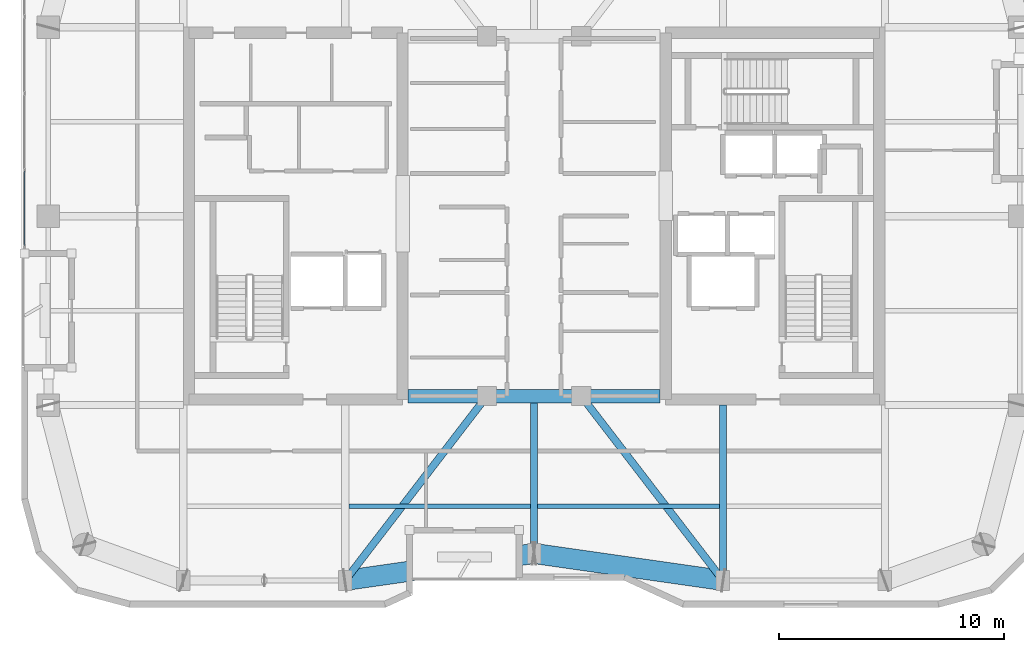
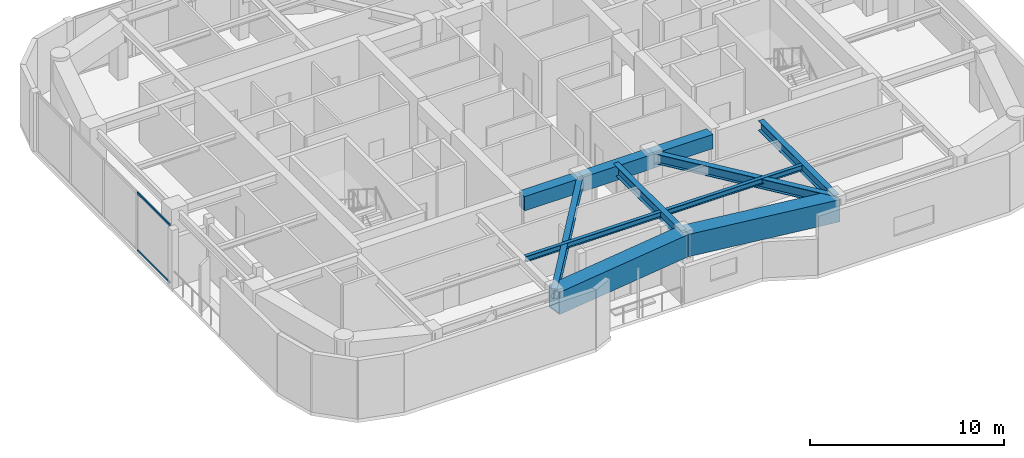
# One storey, part 3 of 15: 11 beams, 2 members, 1 element without a shape of its own.
"""IFC4 building model written with IfcOpenShell, lengths in metres."""

from ifc_helpers import new_model, si_unit, direction, frame, origin, origin_2d, place, context, subcontext, project, spatial, rectangle, hollow_rectangle, i_section, extrude, material, layer, layer_set, material_profile, profile_set, type_object, element, aggregate, save


model = new_model("IFC4")

# Units and contexts
model_context = context("Model", 3, precision=1e-05, world=origin(), true_north=direction((0.0, 1.0)))
body_context = subcontext(model_context, "Body", "Model", "MODEL_VIEW")
ifc_project = project(units=[si_unit("LENGTHUNIT", "METRE"), si_unit("AREAUNIT", "SQUARE_METRE"), si_unit("VOLUMEUNIT", "CUBIC_METRE"), si_unit("PLANEANGLEUNIT", "RADIAN"), si_unit("MASSUNIT", "GRAM", prefix="KILO")], contexts=[model_context])

# Site, building, storey
site_placement = place(None, origin())
site = spatial("IfcSite", under=ifc_project, at=site_placement, CompositionType="ELEMENT")
building_placement = place(site_placement, origin())
building = spatial("IfcBuilding", under=site, at=building_placement, Name="Kiyonajd Concourse Tower", CompositionType="ELEMENT")
storey_placement = place(building_placement, frame((0.0, 0.0, 274.5)))
storey = spatial("IfcBuildingStorey", under=building, at=storey_placement, Name="L69", CompositionType="ELEMENT", Elevation=274.5)

# Beams
ifc_material_1 = material(Name="Concrete C60/75", Category="concrete")
ifc_material_profile_1 = material_profile(ifc_material_1, rectangle(XDim=0.60009765625, YDim=0.89990234375, at=origin_2d()), Name="RCBM-600x900")
ifc_profile_set_1 = profile_set([ifc_material_profile_1], Name="Concrete C60/75")
beam_type_1 = type_object("IfcBeamType", Name="BM-COUP-900", PredefinedType="LINTEL", material=ifc_profile_set_1)
beam_1_placement = place(storey_placement, frame((42.39990234375, 28.0, 3.22998046875), z_axis=(1.0, 0.0, 0.0), x_axis=(0.0, 1.0, 0.0)))
element("IfcBeam", 1, at=beam_1_placement, inside=storey, type_object=beam_type_1, Name="L69 Core Coupling Beam S1", PredefinedType="LINTEL", context=body_context, shape_type="SweptSolid", body=[
    extrude(rectangle(XDim=0.60009765625, YDim=0.89990234375, at=origin_2d()), origin(), (0.0, 0.0, 1.0), 3.5),
])
beam_2_placement = place(storey_placement, frame((45.89990234375, 28.0, 3.22998046875), z_axis=(1.0, 0.0, 0.0), x_axis=(0.0, 1.0, 0.0)))
element("IfcBeam", 2, at=beam_2_placement, inside=storey, type_object=beam_type_1, Name="L69 Core Coupling Beam S2", PredefinedType="LINTEL", context=body_context, shape_type="SweptSolid", body=[
    extrude(rectangle(XDim=0.60009765625, YDim=0.89990234375, at=origin_2d()), origin(), (0.0, 0.0, 1.0), 4.2001953125),
])
beam_3_placement = place(storey_placement, frame((50.10009765625, 28.0, 3.22998046875), z_axis=(1.0, 0.0, 0.0), x_axis=(0.0, 1.0, 0.0)))
element("IfcBeam", 3, at=beam_3_placement, inside=storey, type_object=beam_type_1, Name="L69 Core Coupling Beam S3", PredefinedType="LINTEL", context=body_context, shape_type="SweptSolid", body=[
    extrude(rectangle(XDim=0.60009765625, YDim=0.89990234375, at=origin_2d()), origin(), (0.0, 0.0, 1.0), 3.5),
])
ifc_material_2 = material(Name="Steel ASTM A992 Grade 50", Category="steel")
ifc_material_profile_2 = material_profile(ifc_material_2, i_section(OverallWidth=0.205078125, OverallDepth=0.35400390625, WebThickness=0.009521484375, FlangeThickness=0.016845703125, at=origin_2d()), Name="W360X79")
ifc_profile_set_2 = profile_set([ifc_material_profile_2], Name="Steel ASTM A992 Grade 50")
beam_type_2 = type_object("IfcBeamType", Name="BM-JST-360", PredefinedType="JOIST", material=ifc_profile_set_2)
for number, where, z_axis, x_axis, name in (
    (4, (39.761962890625, 23.10009765625, 3.5029296875), (1.0, 0.0, 0.0), (0.0, 1.0, 0.0), "L69 Secondary Floor Joist"),
    (5, (48.162109375, 23.10009765625, 3.5029296875), (1.0, 0.0, 0.0), (0.0, 1.0, 0.0), "L69 Secondary Floor Joist"),
):
    element("IfcBeam", number, at=place(storey_placement, frame(where, z_axis=z_axis, x_axis=x_axis)), inside=storey, type_object=beam_type_2, Name=name, PredefinedType="JOIST", context=body_context, shape_type="SweptSolid", body=[
        extrude(i_section(OverallWidth=0.205078125, OverallDepth=0.35400390625, WebThickness=0.009521484375, FlangeThickness=0.016845703125, at=origin_2d()), origin(), (0.0, 0.0, 1.0), 8.075927734375),
    ])
ifc_material_profile_3 = material_profile(ifc_material_2, i_section(OverallWidth=0.326904296875, OverallDepth=0.6220703125, WebThickness=0.015380859375, FlangeThickness=0.0244140625, at=origin_2d()), Name="W610X195")
ifc_profile_set_3 = profile_set([ifc_material_profile_3], Name="Steel ASTM A992 Grade 50")
beam_type_3 = type_object("IfcBeamType", Name="BM-TWR-610A", PredefinedType="BEAM", material=ifc_profile_set_3)
for number, where, z_axis, x_axis, name in (
    (6, (39.60009765625, 19.800048828125, 3.368896484375), (0.609233709922, 0.792990722956, 0.0), (-0.792990722956, 0.609233709922, 0.0), "L69 Core Tie Girder"),
    (7, (50.10009765625, 28.0, 3.368896484375), (0.609233709922, -0.792990722956, 0.0), (0.792990722956, 0.609233709922, 0.0), "L69 Core Tie Girder"),
):
    element("IfcBeam", number, at=place(storey_placement, frame(where, z_axis=z_axis, x_axis=x_axis)), inside=storey, type_object=beam_type_3, Name=name, PredefinedType="BEAM", context=body_context, shape_type="SweptSolid", body=[
        extrude(i_section(OverallWidth=0.326904296875, OverallDepth=0.6220703125, WebThickness=0.015380859375, FlangeThickness=0.0244140625, at=origin_2d()), origin(), (0.0, 0.0, 1.0), 10.340576171875),
    ])
ifc_material_profile_4 = material_profile(ifc_material_2, i_section(OverallWidth=0.323974609375, OverallDepth=0.611083984375, WebThickness=0.0126953125, FlangeThickness=0.01904296875, at=origin_2d()), Name="W610X155")
ifc_profile_set_4 = profile_set([ifc_material_profile_4], Name="Steel ASTM A992 Grade 50")
beam_type_4 = type_object("IfcBeamType", Name="BM-TWR-610B", PredefinedType="BEAM", material=ifc_profile_set_4)
beam_4_placement = place(storey_placement, frame((56.39990234375, 19.800048828125, 3.37451171875), z_axis=(0.0, 1.0, 0.0), x_axis=(-1.0, 0.0, 0.0)))
element("IfcBeam", 8, at=beam_4_placement, inside=storey, type_object=beam_type_4, Name="L69 South Lease Girder", PredefinedType="BEAM", context=body_context, shape_type="SweptSolid", body=[
    extrude(i_section(OverallWidth=0.323974609375, OverallDepth=0.611083984375, WebThickness=0.0126953125, FlangeThickness=0.01904296875, at=origin_2d()), origin(), (0.0, 0.0, 1.0), 7.800048828125),
])
beam_5_placement = place(storey_placement, frame((48.0, 21.0, 3.37451171875), z_axis=(0.0, 1.0, 0.0), x_axis=(-1.0, 0.0, 0.0)))
element("IfcBeam", 9, at=beam_5_placement, inside=storey, type_object=beam_type_4, Name="L69 South Ribbon Girder", PredefinedType="BEAM", context=body_context, shape_type="SweptSolid", body=[
    extrude(i_section(OverallWidth=0.323974609375, OverallDepth=0.611083984375, WebThickness=0.0126953125, FlangeThickness=0.01904296875, at=origin_2d()), origin(), (0.0, 0.0, 1.0), 7.0),
])
ifc_material_3 = material(Name="Steel ASTM A572 Grade 50", Category="steel")
ifc_material_profile_5 = material_profile(ifc_material_3, hollow_rectangle(XDim=0.89990234375, YDim=1.39990234375, WallThickness=0.070068359375, at=origin_2d()), Name="BOX-1400x900x70")
ifc_profile_set_5 = profile_set([ifc_material_profile_5], Name="Steel ASTM A572 Grade 50")
beam_type_5 = type_object("IfcBeamType", Name="BM-XFER-1400", PredefinedType="BEAM", material=ifc_profile_set_5)
for number, where, z_axis, x_axis, name in (
    (10, (39.60009765625, 19.800048828125, 2.97998046875), (0.989950069105, 0.141417328072, 0.0), (-0.141417328072, 0.989950069105, 0.0), "L69 Perimeter Bundled Tube Spandrel"),
    (11, (48.0, 21.0, 2.97998046875), (0.989950069105, -0.141417328072, 0.0), (0.141417328072, 0.989950069105, 0.0), "L69 Perimeter Bundled Tube Spandrel"),
):
    element("IfcBeam", number, at=place(storey_placement, frame(where, z_axis=z_axis, x_axis=x_axis)), inside=storey, type_object=beam_type_5, Name=name, PredefinedType="BEAM", context=body_context, shape_type="SweptSolid", body=[
        extrude(hollow_rectangle(XDim=0.89990234375, YDim=1.39990234375, WallThickness=0.070068359375, at=origin_2d()), origin(), (0.0, 0.0, 1.0), 8.485107421875),
    ])

# Curtain wall, members
ifc_material_4 = material(Name="Thermally Broken Anodised Aluminium", Category="aluminium")
ifc_layer = layer(ifc_material_4, 0.179931640625)
ifc_layer_set = layer_set([ifc_layer], Name="Thermally Broken Anodised Aluminium")
curtain_wall_type = type_object("IfcCurtainWallType", Name="CW-SYS-04", PredefinedType="NOTDEFINED", material=ifc_layer_set)
curtain_wall_placement = place(storey_placement, origin())
curtain_wall = element("IfcCurtainWall", 12, at=curtain_wall_placement, inside=storey, type_object=curtain_wall_type, Name="L69 Unitised Curtain Wall CW4", PredefinedType="NOTDEFINED")
ifc_material_profile_6 = material_profile(ifc_material_4, hollow_rectangle(XDim=0.06494140625, YDim=0.139892578125, WallThickness=0.00390625, at=origin_2d()), Name="TRAN-65x140")
ifc_profile_set_6 = profile_set([ifc_material_profile_6], Name="Thermally Broken Anodised Aluminium")
member_type = type_object("IfcMemberType", Name="MB-CW-TRAN1", PredefinedType="USERDEFINED", material=ifc_profile_set_6)
member_1_placement = place(storey_placement, frame((25.340087890625, 34.695068359375, 0.032470703125), z_axis=(0.0, 1.0, 0.0), x_axis=(-1.0, 0.0, 0.0)))
member_1 = element("IfcMember", 13, at=member_1_placement, type_object=member_type, Name="CW4 transom 1.1", ObjectType="TRANSOM", PredefinedType="USERDEFINED", context=body_context, shape_type="SweptSolid", body=[
    extrude(hollow_rectangle(XDim=0.06494140625, YDim=0.139892578125, WallThickness=0.00390625, at=origin_2d()), origin(), (0.0, 0.0, 1.0), 3.31787109375),
])
member_2_placement = place(storey_placement, frame((25.340087890625, 34.695068359375, 3.6474609375), z_axis=(0.0, 1.0, 0.0), x_axis=(-1.0, 0.0, 0.0)))
member_2 = element("IfcMember", 14, at=member_2_placement, type_object=member_type, Name="CW4 transom 1.2", ObjectType="TRANSOM", PredefinedType="USERDEFINED", context=body_context, shape_type="SweptSolid", body=[
    extrude(hollow_rectangle(XDim=0.06494140625, YDim=0.139892578125, WallThickness=0.00390625, at=origin_2d()), origin(), (0.0, 0.0, 1.0), 3.31787109375),
])
aggregate(curtain_wall, [member_1, member_2])

save(model, "model.ifc")
